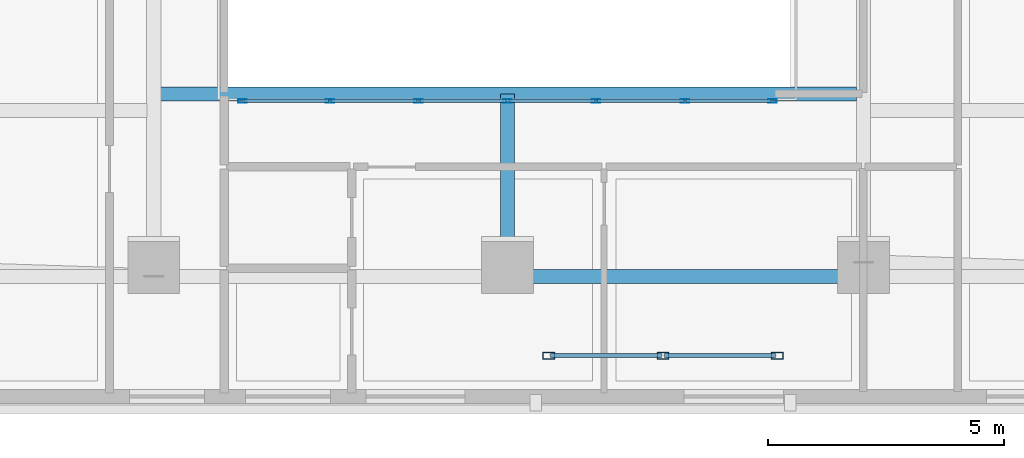
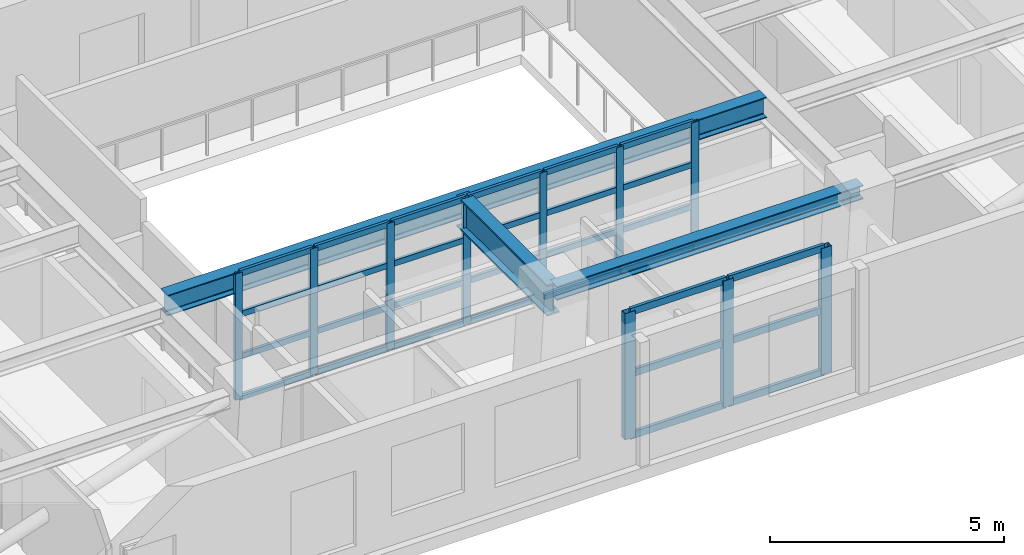
# One storey, part 2 of 13: 40 members, 3 beams, 2 elements without a shape of their own.
"""IFC4 building model written with IfcOpenShell, lengths in metres."""

import ifcopenshell
import ifcopenshell.guid

model = None  # the IFC model being written
_history = None  # IfcOwnerHistory: only IFC2X3 demands one
_inside = {}  # id of a spatial element -> (the spatial element, [elements in it])
_under = {}  # id of a project, library or spatial element -> (it, [spatial elements below it])
_declared = {}  # id of a project -> (the project, [libraries it declares])
_typed = {}  # id of a type object -> (the type object, [elements of that type])
_made_of = {}  # id of a material, layer set ... -> (it, [elements and type objects made of it])


def new_model(schema):
    """Start an empty IFC model of exactly this schema.

    Asked for "IFC4X3", IfcOpenShell would pick the latest addendum, in which some entities
    have other attributes; the version numbers below select the first issue.
    IFC2X3 requires an IfcOwnerHistory on every rooted entity: one is made here for all.
    """
    global model, _history
    if schema == "IFC4X3":
        model = ifcopenshell.file(schema_version=(4, 3, 0, 0))
    else:
        model = ifcopenshell.file(schema=schema)
    _inside.clear()
    _under.clear()
    _declared.clear()
    _typed.clear()
    _made_of.clear()
    _history = None
    if model.schema == "IFC2X3":
        org = make("IfcOrganization", Name="unknown")
        user = make(
            "IfcPersonAndOrganization",
            ThePerson=make("IfcPerson", FamilyName="unknown"),
            TheOrganization=org,
        )
        app = make(
            "IfcApplication",
            ApplicationDeveloper=org,
            Version="unknown",
            ApplicationFullName="unknown",
            ApplicationIdentifier="unknown",
        )
        _history = make(
            "IfcOwnerHistory",
            OwningUser=user,
            OwningApplication=app,
            ChangeAction="ADDED",
            CreationDate=0,
        )
    return model


def make(cls, **values):
    """One entity of the class cls with the attributes given. An attribute that is None is left unset."""
    return model.create_entity(
        cls, **{name: value for name, value in values.items() if value is not None}
    )


def rooted(cls, **values):
    """An entity with a GlobalId (a new one), such as an element, a storey or a relation."""
    return make(cls, GlobalId=ifcopenshell.guid.new(), OwnerHistory=_history, **values)


def si_unit(unit_type, name, prefix=None):
    """IfcSIUnit, for example si_unit("LENGTHUNIT", "METRE", prefix="MILLI")."""
    return make("IfcSIUnit", UnitType=unit_type, Prefix=prefix, Name=name)


def assignment(units):
    """IfcUnitAssignment: the units of a project."""
    return None if units is None else make("IfcUnitAssignment", Units=units)


def point(xyz):
    """IfcCartesianPoint."""
    return None if xyz is None else make("IfcCartesianPoint", Coordinates=xyz)


def direction(xyz):
    """IfcDirection."""
    return None if xyz is None else make("IfcDirection", DirectionRatios=xyz)


def frame(location, z_axis=None, x_axis=None):
    """IfcAxis2Placement3D, a coordinate frame: its origin and axes. An axis left out is left unset."""
    return make(
        "IfcAxis2Placement3D",
        Location=point(location),
        Axis=direction(z_axis),
        RefDirection=direction(x_axis),
    )


def frame_2d(location, x_axis=None):
    """IfcAxis2Placement2D, a coordinate frame in the plane: its origin and x axis."""
    return make(
        "IfcAxis2Placement2D", Location=point(location), RefDirection=direction(x_axis)
    )


def origin():
    """The frame at (0, 0, 0) with its axes left unset."""
    return frame((0.0, 0.0, 0.0))


def origin_2d():
    """The frame at (0, 0) in the plane with its x axis left unset."""
    return frame_2d((0.0, 0.0))


def place(relative_to, where):
    """IfcLocalPlacement: puts the frame where relative to a parent placement (None: the world)."""
    return make(
        "IfcLocalPlacement", PlacementRelTo=relative_to, RelativePlacement=where
    )


def context(
    kind, dimensions, precision=None, world=None, true_north=None, identifier=None
):
    """IfcGeometricRepresentationContext, for example the 3D "Model" context."""
    return make(
        "IfcGeometricRepresentationContext",
        ContextIdentifier=identifier,
        ContextType=kind,
        CoordinateSpaceDimension=dimensions,
        Precision=precision,
        WorldCoordinateSystem=world,
        TrueNorth=true_north,
    )


def subcontext(parent, identifier, kind, view, scale=None):
    """IfcGeometricRepresentationSubContext, for example "Body" below "Model"."""
    return make(
        "IfcGeometricRepresentationSubContext",
        ContextIdentifier=identifier,
        ContextType=kind,
        ParentContext=parent,
        TargetScale=scale,
        TargetView=view,
    )


def project(units=None, contexts=None):
    """IfcProject with its units and contexts."""
    return rooted(
        "IfcProject",
        Name="project",
        RepresentationContexts=contexts,
        UnitsInContext=assignment(units),
    )


def spatial(cls, under=None, at=None, **own):
    """A site, building, storey or space (cls), placed at a placement, below another one or the project."""
    s = rooted(cls, ObjectPlacement=at, **own)
    if under is not None:
        _under.setdefault(under.id(), (under, []))[1].append(s)
    return s


def profile(cls, at=None, kind="AREA", **sizes):
    """A parametric profile (cls). Its sizes go by their IFC names, for example OverallWidth=200.0."""
    return make(cls, ProfileType=kind, Position=at, **sizes)


def hollow_rectangle(**sizes):
    """IfcRectangleHollowProfileDef."""
    return profile("IfcRectangleHollowProfileDef", **sizes)


def i_section(**sizes):
    """IfcIShapeProfileDef."""
    return profile("IfcIShapeProfileDef", **sizes)


def extrude(swept, where, along, depth):
    """IfcExtrudedAreaSolid: the profile swept, set in the frame where, extruded along a direction by depth."""
    return make(
        "IfcExtrudedAreaSolid",
        SweptArea=swept,
        Position=where,
        ExtrudedDirection=direction(along),
        Depth=depth,
    )


def shape(context_of_items, identifier, shape_type, items):
    """IfcShapeRepresentation: the items that make up one representation, for example the "Body"."""
    return make(
        "IfcShapeRepresentation",
        ContextOfItems=context_of_items,
        RepresentationIdentifier=identifier,
        RepresentationType=shape_type,
        Items=items,
    )


def material(Name=None, Category=None):
    """IfcMaterial."""
    return make("IfcMaterial", Name=Name, Category=Category)


def layer(
    of_material, thickness, ventilated=None, Name=None, Category=None, Priority=None
):
    """IfcMaterialLayer: one layer of a wall or slab, of a material (None: an air gap)."""
    return make(
        "IfcMaterialLayer",
        Material=of_material,
        LayerThickness=thickness,
        IsVentilated=ventilated,
        Name=Name,
        Category=Category,
        Priority=Priority,
    )


def layer_set(layers, Name=None):
    """IfcMaterialLayerSet."""
    return make("IfcMaterialLayerSet", MaterialLayers=layers, LayerSetName=Name)


def material_profile(
    of_material, cross_section, Name=None, Category=None, Priority=None
):
    """IfcMaterialProfile: a cross section and its material."""
    return make(
        "IfcMaterialProfile",
        Name=Name,
        Material=of_material,
        Profile=cross_section,
        Priority=Priority,
        Category=Category,
    )


def profile_set(profiles, Name=None, composite=None):
    """IfcMaterialProfileSet."""
    return make(
        "IfcMaterialProfileSet",
        Name=Name,
        MaterialProfiles=profiles,
        CompositeProfile=composite,
    )


def made_of(thing, what):
    """Note that an element or type object is made of a material, layer set ...; save() writes the relation."""
    if what is not None:
        _made_of.setdefault(what.id(), (what, []))[1].append(thing)
    return thing


def type_object(cls, material=None, **own):
    """A type object (cls), such as IfcWallType, which elements share."""
    return made_of(rooted(cls, **own), material)


def element(
    cls,
    number,
    at=None,
    inside=None,
    cuts=None,
    type_object=None,
    material=None,
    context=None,
    identifier="Body",
    shape_type=None,
    held_by="IfcProductDefinitionShape",
    body=None,
    shapes=None,
    **own,
):
    """One element of the class cls, such as IfcWall. Its Tag is "e" and its number.

    at: its placement. inside: the storey or other place that contains it. cuts: it is an
    opening in that element (IfcRelVoidsElement). A single representation is given by context,
    identifier, shape_type and body (its items); several are given by shapes. held_by: the class
    of the entity that holds the representations. save() writes the other relations.
    """
    e = rooted(cls, Tag="e%d" % number, ObjectPlacement=at, **own)
    if body is not None:
        shapes = [shape(context, identifier, shape_type, body)]
    if shapes is not None:
        e.Representation = make(held_by, Representations=shapes)
    if inside is not None:
        _inside.setdefault(inside.id(), (inside, []))[1].append(e)
    if cuts is not None:
        rooted(
            "IfcRelVoidsElement", RelatingBuildingElement=cuts, RelatedOpeningElement=e
        )
    if type_object is not None:
        _typed.setdefault(type_object.id(), (type_object, []))[1].append(e)
    return made_of(e, material)


def aggregate(whole, parts):
    """IfcRelAggregates: a whole, such as a stair, and the parts it consists of."""
    return rooted("IfcRelAggregates", RelatingObject=whole, RelatedObjects=parts)


def save(model, path):
    """Write the relations noted so far, then the file.

    IfcRelAggregates (storeys below a building ...), IfcRelContainedInSpatialStructure (elements
    in a storey), IfcRelDefinesByType, IfcRelAssociatesMaterial and IfcRelDeclares: one each for
    every whole, place, type object, material and project.
    """
    for whole, parts in _under.values():
        aggregate(whole, parts)
    for where, things in _inside.values():
        rooted(
            "IfcRelContainedInSpatialStructure",
            RelatedElements=things,
            RelatingStructure=where,
        )
    for kind, things in _typed.values():
        rooted("IfcRelDefinesByType", RelatedObjects=things, RelatingType=kind)
    for what, things in _made_of.values():
        rooted("IfcRelAssociatesMaterial", RelatedObjects=things, RelatingMaterial=what)
    for by, libraries in _declared.values():
        rooted("IfcRelDeclares", RelatingContext=by, RelatedDefinitions=libraries)
    model.write(path)


model = new_model("IFC4")

# Units and contexts
model_context = context("Model", 3, precision=1e-05, world=origin(), true_north=direction((0.0, 1.0)))
body_context = subcontext(model_context, "Body", "Model", "MODEL_VIEW")
ifc_project = project(units=[si_unit("LENGTHUNIT", "METRE"), si_unit("AREAUNIT", "SQUARE_METRE"), si_unit("VOLUMEUNIT", "CUBIC_METRE"), si_unit("PLANEANGLEUNIT", "RADIAN"), si_unit("MASSUNIT", "GRAM", prefix="KILO")], contexts=[model_context])

# Site, building, storey
site_placement = place(None, origin())
site = spatial("IfcSite", under=ifc_project, at=site_placement, CompositionType="ELEMENT")
building_placement = place(site_placement, origin())
building = spatial("IfcBuilding", under=site, at=building_placement, Name="Zarnavel Station Tower", CompositionType="ELEMENT")
storey_placement = place(building_placement, frame((0.0, 0.0, 141.25)))
storey = spatial("IfcBuildingStorey", under=building, at=storey_placement, Name="L38", CompositionType="ELEMENT", Elevation=141.25)

# Curtain wall, members
ifc_material_1 = material(Name="Aluminium Dark Anodised and Solar-Control Glass", Category="aluminium")
ifc_layer_1 = layer(ifc_material_1, 0.179931640625)
ifc_layer_set_1 = layer_set([ifc_layer_1], Name="CWS4")
curtain_wall_type_1 = type_object("IfcCurtainWallType", Name="CWS4", PredefinedType="NOTDEFINED", material=ifc_layer_set_1)
curtain_wall_1_placement = place(storey_placement, origin())
curtain_wall_1 = element("IfcCurtainWall", 1, at=curtain_wall_1_placement, inside=storey, type_object=curtain_wall_type_1, Name="L38 Curtain Wall CWS4-L38-AS", PredefinedType="NOTDEFINED")
ifc_material_2 = material(Name="Steel S355J2 (Black Fluoropolymer Coated)", Category="steel")
ifc_material_profile_1 = material_profile(ifc_material_2, hollow_rectangle(XDim=0.080078125, YDim=0.179931640625, WallThickness=0.00634765625, at=origin_2d()), Name="RHS180x80x6.3")
ifc_profile_set_1 = profile_set([ifc_material_profile_1], Name="Steel S355J2 (Black Fluoropolymer Coated)")
member_type_1 = type_object("IfcMemberType", Name="CWS4_MUL", PredefinedType="MULLION", material=ifc_profile_set_1)
member_1_placement = place(storey_placement, frame((23.179931640625, 16.85009765625, 0.0), z_axis=(0.0, 0.0, 1.0), x_axis=(0.0, 1.0, 0.0)))
member_1 = element("IfcMember", 2, at=member_1_placement, type_object=member_type_1, Name="CW4 mullion 1", PredefinedType="MULLION", context=body_context, shape_type="SweptSolid", body=[
    extrude(hollow_rectangle(XDim=0.080078125, YDim=0.179931640625, WallThickness=0.00634765625, at=origin_2d()), origin(), (0.0, 0.0, 1.0), 3.2900390625),
])
member_2_placement = place(storey_placement, frame((25.033447265625, 16.85009765625, 0.0), z_axis=(0.0, 0.0, 1.0), x_axis=(0.0, 1.0, 0.0)))
member_2 = element("IfcMember", 3, at=member_2_placement, type_object=member_type_1, Name="CW4 mullion 2", PredefinedType="MULLION", context=body_context, shape_type="SweptSolid", body=[
    extrude(hollow_rectangle(XDim=0.080078125, YDim=0.179931640625, WallThickness=0.00634765625, at=origin_2d()), origin(), (0.0, 0.0, 1.0), 3.2900390625),
])
member_3_placement = place(storey_placement, frame((26.916748046875, 16.85009765625, 0.0), z_axis=(0.0, 0.0, 1.0), x_axis=(0.0, 1.0, 0.0)))
member_3 = element("IfcMember", 4, at=member_3_placement, type_object=member_type_1, Name="CW4 mullion 3", PredefinedType="MULLION", context=body_context, shape_type="SweptSolid", body=[
    extrude(hollow_rectangle(XDim=0.080078125, YDim=0.179931640625, WallThickness=0.00634765625, at=origin_2d()), origin(), (0.0, 0.0, 1.0), 3.2900390625),
])
member_4_placement = place(storey_placement, frame((28.800048828125, 16.85009765625, 0.0), z_axis=(0.0, 0.0, 1.0), x_axis=(0.0, 1.0, 0.0)))
member_4 = element("IfcMember", 5, at=member_4_placement, type_object=member_type_1, Name="CW4 mullion 4", PredefinedType="MULLION", context=body_context, shape_type="SweptSolid", body=[
    extrude(hollow_rectangle(XDim=0.080078125, YDim=0.179931640625, WallThickness=0.00634765625, at=origin_2d()), origin(), (0.0, 0.0, 1.0), 3.2900390625),
])
member_5_placement = place(storey_placement, frame((30.683349609375, 16.85009765625, 0.0), z_axis=(0.0, 0.0, 1.0), x_axis=(0.0, 1.0, 0.0)))
member_5 = element("IfcMember", 6, at=member_5_placement, type_object=member_type_1, Name="CW4 mullion 5", PredefinedType="MULLION", context=body_context, shape_type="SweptSolid", body=[
    extrude(hollow_rectangle(XDim=0.080078125, YDim=0.179931640625, WallThickness=0.00634765625, at=origin_2d()), origin(), (0.0, 0.0, 1.0), 3.2900390625),
])
member_6_placement = place(storey_placement, frame((32.566650390625, 16.85009765625, 0.0), z_axis=(0.0, 0.0, 1.0), x_axis=(0.0, 1.0, 0.0)))
member_6 = element("IfcMember", 7, at=member_6_placement, type_object=member_type_1, Name="CW4 mullion 6", PredefinedType="MULLION", context=body_context, shape_type="SweptSolid", body=[
    extrude(hollow_rectangle(XDim=0.080078125, YDim=0.179931640625, WallThickness=0.00634765625, at=origin_2d()), origin(), (0.0, 0.0, 1.0), 3.2900390625),
])
member_7_placement = place(storey_placement, frame((34.419921875, 16.85009765625, 0.0), z_axis=(0.0, 0.0, 1.0), x_axis=(0.0, 1.0, 0.0)))
member_7 = element("IfcMember", 8, at=member_7_placement, type_object=member_type_1, Name="CW4 mullion 7", PredefinedType="MULLION", context=body_context, shape_type="SweptSolid", body=[
    extrude(hollow_rectangle(XDim=0.080078125, YDim=0.179931640625, WallThickness=0.00634765625, at=origin_2d()), origin(), (0.0, 0.0, 1.0), 3.2900390625),
])
ifc_material_3 = material(Name="Steel S355J2 (Black Fluoropolymer Coated)", Category="steel")
ifc_material_profile_2 = material_profile(ifc_material_3, hollow_rectangle(XDim=0.074951171875, YDim=0.14990234375, WallThickness=0.00634765625, at=origin_2d()), Name="RHS150x75x6.3")
ifc_profile_set_2 = profile_set([ifc_material_profile_2], Name="Steel S355J2 (Black Fluoropolymer Coated)")
member_type_2 = type_object("IfcMemberType", Name="CWS4_TRN", PredefinedType="USERDEFINED", material=ifc_profile_set_2)
member_8_placement = place(storey_placement, frame((23.2099609375, 16.85009765625, 0.030029296875), z_axis=(1.0, 0.0, 0.0), x_axis=(0.0, 1.0, 0.0)))
member_8 = element("IfcMember", 9, at=member_8_placement, type_object=member_type_2, Name="CW4 transom 1.1", ObjectType="TRANSOM", PredefinedType="USERDEFINED", context=body_context, shape_type="SweptSolid", body=[
    extrude(hollow_rectangle(XDim=0.074951171875, YDim=0.14990234375, WallThickness=0.00634765625, at=origin_2d()), origin(), (0.0, 0.0, 1.0), 1.79345703125),
])
member_9_placement = place(storey_placement, frame((23.2099609375, 16.85009765625, 1.0966796875), z_axis=(1.0, 0.0, 0.0), x_axis=(0.0, 1.0, 0.0)))
member_9 = element("IfcMember", 10, at=member_9_placement, type_object=member_type_2, Name="CW4 transom 1.2", ObjectType="TRANSOM", PredefinedType="USERDEFINED", context=body_context, shape_type="SweptSolid", body=[
    extrude(hollow_rectangle(XDim=0.074951171875, YDim=0.14990234375, WallThickness=0.00634765625, at=origin_2d()), origin(), (0.0, 0.0, 1.0), 1.79345703125),
])
member_10_placement = place(storey_placement, frame((23.2099609375, 16.85009765625, 2.193359375), z_axis=(1.0, 0.0, 0.0), x_axis=(0.0, 1.0, 0.0)))
member_10 = element("IfcMember", 11, at=member_10_placement, type_object=member_type_2, Name="CW4 transom 1.3", ObjectType="TRANSOM", PredefinedType="USERDEFINED", context=body_context, shape_type="SweptSolid", body=[
    extrude(hollow_rectangle(XDim=0.074951171875, YDim=0.14990234375, WallThickness=0.00634765625, at=origin_2d()), origin(), (0.0, 0.0, 1.0), 1.79345703125),
])
member_11_placement = place(storey_placement, frame((23.2099609375, 16.85009765625, 3.260009765625), z_axis=(1.0, 0.0, 0.0), x_axis=(0.0, 1.0, 0.0)))
member_11 = element("IfcMember", 12, at=member_11_placement, type_object=member_type_2, Name="CW4 transom 1.4", ObjectType="TRANSOM", PredefinedType="USERDEFINED", context=body_context, shape_type="SweptSolid", body=[
    extrude(hollow_rectangle(XDim=0.074951171875, YDim=0.14990234375, WallThickness=0.00634765625, at=origin_2d()), origin(), (0.0, 0.0, 1.0), 1.79345703125),
])
member_12_placement = place(storey_placement, frame((25.063232421875, 16.85009765625, 0.030029296875), z_axis=(1.0, 0.0, 0.0), x_axis=(0.0, 1.0, 0.0)))
member_12 = element("IfcMember", 13, at=member_12_placement, type_object=member_type_2, Name="CW4 transom 2.1", ObjectType="TRANSOM", PredefinedType="USERDEFINED", context=body_context, shape_type="SweptSolid", body=[
    extrude(hollow_rectangle(XDim=0.074951171875, YDim=0.14990234375, WallThickness=0.00634765625, at=origin_2d()), origin(), (0.0, 0.0, 1.0), 1.823486328125),
])
member_13_placement = place(storey_placement, frame((25.063232421875, 16.85009765625, 1.0966796875), z_axis=(1.0, 0.0, 0.0), x_axis=(0.0, 1.0, 0.0)))
member_13 = element("IfcMember", 14, at=member_13_placement, type_object=member_type_2, Name="CW4 transom 2.2", ObjectType="TRANSOM", PredefinedType="USERDEFINED", context=body_context, shape_type="SweptSolid", body=[
    extrude(hollow_rectangle(XDim=0.074951171875, YDim=0.14990234375, WallThickness=0.00634765625, at=origin_2d()), origin(), (0.0, 0.0, 1.0), 1.823486328125),
])
member_14_placement = place(storey_placement, frame((25.063232421875, 16.85009765625, 2.193359375), z_axis=(1.0, 0.0, 0.0), x_axis=(0.0, 1.0, 0.0)))
member_14 = element("IfcMember", 15, at=member_14_placement, type_object=member_type_2, Name="CW4 transom 2.3", ObjectType="TRANSOM", PredefinedType="USERDEFINED", context=body_context, shape_type="SweptSolid", body=[
    extrude(hollow_rectangle(XDim=0.074951171875, YDim=0.14990234375, WallThickness=0.00634765625, at=origin_2d()), origin(), (0.0, 0.0, 1.0), 1.823486328125),
])
member_15_placement = place(storey_placement, frame((25.063232421875, 16.85009765625, 3.260009765625), z_axis=(1.0, 0.0, 0.0), x_axis=(0.0, 1.0, 0.0)))
member_15 = element("IfcMember", 16, at=member_15_placement, type_object=member_type_2, Name="CW4 transom 2.4", ObjectType="TRANSOM", PredefinedType="USERDEFINED", context=body_context, shape_type="SweptSolid", body=[
    extrude(hollow_rectangle(XDim=0.074951171875, YDim=0.14990234375, WallThickness=0.00634765625, at=origin_2d()), origin(), (0.0, 0.0, 1.0), 1.823486328125),
])
member_16_placement = place(storey_placement, frame((26.94677734375, 16.85009765625, 0.030029296875), z_axis=(1.0, 0.0, 0.0), x_axis=(0.0, 1.0, 0.0)))
member_16 = element("IfcMember", 17, at=member_16_placement, type_object=member_type_2, Name="CW4 transom 3.1", ObjectType="TRANSOM", PredefinedType="USERDEFINED", context=body_context, shape_type="SweptSolid", body=[
    extrude(hollow_rectangle(XDim=0.074951171875, YDim=0.14990234375, WallThickness=0.00634765625, at=origin_2d()), origin(), (0.0, 0.0, 1.0), 1.8232421875),
])
member_17_placement = place(storey_placement, frame((26.94677734375, 16.85009765625, 1.0966796875), z_axis=(1.0, 0.0, 0.0), x_axis=(0.0, 1.0, 0.0)))
member_17 = element("IfcMember", 18, at=member_17_placement, type_object=member_type_2, Name="CW4 transom 3.2", ObjectType="TRANSOM", PredefinedType="USERDEFINED", context=body_context, shape_type="SweptSolid", body=[
    extrude(hollow_rectangle(XDim=0.074951171875, YDim=0.14990234375, WallThickness=0.00634765625, at=origin_2d()), origin(), (0.0, 0.0, 1.0), 1.8232421875),
])
member_18_placement = place(storey_placement, frame((26.94677734375, 16.85009765625, 2.193359375), z_axis=(1.0, 0.0, 0.0), x_axis=(0.0, 1.0, 0.0)))
member_18 = element("IfcMember", 19, at=member_18_placement, type_object=member_type_2, Name="CW4 transom 3.3", ObjectType="TRANSOM", PredefinedType="USERDEFINED", context=body_context, shape_type="SweptSolid", body=[
    extrude(hollow_rectangle(XDim=0.074951171875, YDim=0.14990234375, WallThickness=0.00634765625, at=origin_2d()), origin(), (0.0, 0.0, 1.0), 1.8232421875),
])
member_19_placement = place(storey_placement, frame((26.94677734375, 16.85009765625, 3.260009765625), z_axis=(1.0, 0.0, 0.0), x_axis=(0.0, 1.0, 0.0)))
member_19 = element("IfcMember", 20, at=member_19_placement, type_object=member_type_2, Name="CW4 transom 3.4", ObjectType="TRANSOM", PredefinedType="USERDEFINED", context=body_context, shape_type="SweptSolid", body=[
    extrude(hollow_rectangle(XDim=0.074951171875, YDim=0.14990234375, WallThickness=0.00634765625, at=origin_2d()), origin(), (0.0, 0.0, 1.0), 1.8232421875),
])
member_20_placement = place(storey_placement, frame((28.830078125, 16.85009765625, 0.030029296875), z_axis=(1.0, 0.0, 0.0), x_axis=(0.0, 1.0, 0.0)))
member_20 = element("IfcMember", 21, at=member_20_placement, type_object=member_type_2, Name="CW4 transom 4.1", ObjectType="TRANSOM", PredefinedType="USERDEFINED", context=body_context, shape_type="SweptSolid", body=[
    extrude(hollow_rectangle(XDim=0.074951171875, YDim=0.14990234375, WallThickness=0.00634765625, at=origin_2d()), origin(), (0.0, 0.0, 1.0), 1.8232421875),
])
member_21_placement = place(storey_placement, frame((28.830078125, 16.85009765625, 1.0966796875), z_axis=(1.0, 0.0, 0.0), x_axis=(0.0, 1.0, 0.0)))
member_21 = element("IfcMember", 22, at=member_21_placement, type_object=member_type_2, Name="CW4 transom 4.2", ObjectType="TRANSOM", PredefinedType="USERDEFINED", context=body_context, shape_type="SweptSolid", body=[
    extrude(hollow_rectangle(XDim=0.074951171875, YDim=0.14990234375, WallThickness=0.00634765625, at=origin_2d()), origin(), (0.0, 0.0, 1.0), 1.8232421875),
])
member_22_placement = place(storey_placement, frame((28.830078125, 16.85009765625, 2.193359375), z_axis=(1.0, 0.0, 0.0), x_axis=(0.0, 1.0, 0.0)))
member_22 = element("IfcMember", 23, at=member_22_placement, type_object=member_type_2, Name="CW4 transom 4.3", ObjectType="TRANSOM", PredefinedType="USERDEFINED", context=body_context, shape_type="SweptSolid", body=[
    extrude(hollow_rectangle(XDim=0.074951171875, YDim=0.14990234375, WallThickness=0.00634765625, at=origin_2d()), origin(), (0.0, 0.0, 1.0), 1.8232421875),
])
member_23_placement = place(storey_placement, frame((28.830078125, 16.85009765625, 3.260009765625), z_axis=(1.0, 0.0, 0.0), x_axis=(0.0, 1.0, 0.0)))
member_23 = element("IfcMember", 24, at=member_23_placement, type_object=member_type_2, Name="CW4 transom 4.4", ObjectType="TRANSOM", PredefinedType="USERDEFINED", context=body_context, shape_type="SweptSolid", body=[
    extrude(hollow_rectangle(XDim=0.074951171875, YDim=0.14990234375, WallThickness=0.00634765625, at=origin_2d()), origin(), (0.0, 0.0, 1.0), 1.8232421875),
])
member_24_placement = place(storey_placement, frame((30.71337890625, 16.85009765625, 0.030029296875), z_axis=(1.0, 0.0, 0.0), x_axis=(0.0, 1.0, 0.0)))
member_24 = element("IfcMember", 25, at=member_24_placement, type_object=member_type_2, Name="CW4 transom 5.1", ObjectType="TRANSOM", PredefinedType="USERDEFINED", context=body_context, shape_type="SweptSolid", body=[
    extrude(hollow_rectangle(XDim=0.074951171875, YDim=0.14990234375, WallThickness=0.00634765625, at=origin_2d()), origin(), (0.0, 0.0, 1.0), 1.8232421875),
])
member_25_placement = place(storey_placement, frame((30.71337890625, 16.85009765625, 1.0966796875), z_axis=(1.0, 0.0, 0.0), x_axis=(0.0, 1.0, 0.0)))
member_25 = element("IfcMember", 26, at=member_25_placement, type_object=member_type_2, Name="CW4 transom 5.2", ObjectType="TRANSOM", PredefinedType="USERDEFINED", context=body_context, shape_type="SweptSolid", body=[
    extrude(hollow_rectangle(XDim=0.074951171875, YDim=0.14990234375, WallThickness=0.00634765625, at=origin_2d()), origin(), (0.0, 0.0, 1.0), 1.8232421875),
])
member_26_placement = place(storey_placement, frame((30.71337890625, 16.85009765625, 2.193359375), z_axis=(1.0, 0.0, 0.0), x_axis=(0.0, 1.0, 0.0)))
member_26 = element("IfcMember", 27, at=member_26_placement, type_object=member_type_2, Name="CW4 transom 5.3", ObjectType="TRANSOM", PredefinedType="USERDEFINED", context=body_context, shape_type="SweptSolid", body=[
    extrude(hollow_rectangle(XDim=0.074951171875, YDim=0.14990234375, WallThickness=0.00634765625, at=origin_2d()), origin(), (0.0, 0.0, 1.0), 1.8232421875),
])
member_27_placement = place(storey_placement, frame((30.71337890625, 16.85009765625, 3.260009765625), z_axis=(1.0, 0.0, 0.0), x_axis=(0.0, 1.0, 0.0)))
member_27 = element("IfcMember", 28, at=member_27_placement, type_object=member_type_2, Name="CW4 transom 5.4", ObjectType="TRANSOM", PredefinedType="USERDEFINED", context=body_context, shape_type="SweptSolid", body=[
    extrude(hollow_rectangle(XDim=0.074951171875, YDim=0.14990234375, WallThickness=0.00634765625, at=origin_2d()), origin(), (0.0, 0.0, 1.0), 1.8232421875),
])
member_28_placement = place(storey_placement, frame((32.5966796875, 16.85009765625, 0.030029296875), z_axis=(1.0, 0.0, 0.0), x_axis=(0.0, 1.0, 0.0)))
member_28 = element("IfcMember", 29, at=member_28_placement, type_object=member_type_2, Name="CW4 transom 6.1", ObjectType="TRANSOM", PredefinedType="USERDEFINED", context=body_context, shape_type="SweptSolid", body=[
    extrude(hollow_rectangle(XDim=0.074951171875, YDim=0.14990234375, WallThickness=0.00634765625, at=origin_2d()), origin(), (0.0, 0.0, 1.0), 1.793212890625),
])
member_29_placement = place(storey_placement, frame((32.5966796875, 16.85009765625, 1.0966796875), z_axis=(1.0, 0.0, 0.0), x_axis=(0.0, 1.0, 0.0)))
member_29 = element("IfcMember", 30, at=member_29_placement, type_object=member_type_2, Name="CW4 transom 6.2", ObjectType="TRANSOM", PredefinedType="USERDEFINED", context=body_context, shape_type="SweptSolid", body=[
    extrude(hollow_rectangle(XDim=0.074951171875, YDim=0.14990234375, WallThickness=0.00634765625, at=origin_2d()), origin(), (0.0, 0.0, 1.0), 1.793212890625),
])
member_30_placement = place(storey_placement, frame((32.5966796875, 16.85009765625, 2.193359375), z_axis=(1.0, 0.0, 0.0), x_axis=(0.0, 1.0, 0.0)))
member_30 = element("IfcMember", 31, at=member_30_placement, type_object=member_type_2, Name="CW4 transom 6.3", ObjectType="TRANSOM", PredefinedType="USERDEFINED", context=body_context, shape_type="SweptSolid", body=[
    extrude(hollow_rectangle(XDim=0.074951171875, YDim=0.14990234375, WallThickness=0.00634765625, at=origin_2d()), origin(), (0.0, 0.0, 1.0), 1.793212890625),
])
member_31_placement = place(storey_placement, frame((32.5966796875, 16.85009765625, 3.260009765625), z_axis=(1.0, 0.0, 0.0), x_axis=(0.0, 1.0, 0.0)))
member_31 = element("IfcMember", 32, at=member_31_placement, type_object=member_type_2, Name="CW4 transom 6.4", ObjectType="TRANSOM", PredefinedType="USERDEFINED", context=body_context, shape_type="SweptSolid", body=[
    extrude(hollow_rectangle(XDim=0.074951171875, YDim=0.14990234375, WallThickness=0.00634765625, at=origin_2d()), origin(), (0.0, 0.0, 1.0), 1.793212890625),
])
aggregate(curtain_wall_1, [member_1, member_2, member_3, member_4, member_5, member_6, member_7, member_8, member_9, member_10, member_11, member_12, member_13, member_14, member_15, member_16, member_17, member_18, member_19, member_20, member_21, member_22, member_23, member_24, member_25, member_26, member_27, member_28, member_29, member_30, member_31])

ifc_material_4 = material(Name="Aluminium Dark Anodised and Solar-Control Glass", Category="aluminium")
ifc_layer_2 = layer(ifc_material_4, 0.179931640625)
ifc_layer_set_2 = layer_set([ifc_layer_2], Name="CWS6")
curtain_wall_type_2 = type_object("IfcCurtainWallType", Name="CWS6", PredefinedType="NOTDEFINED", material=ifc_layer_set_2)
curtain_wall_2_placement = place(storey_placement, origin())
curtain_wall_2 = element("IfcCurtainWall", 33, at=curtain_wall_2_placement, inside=storey, type_object=curtain_wall_type_2, Name="L38 Curtain Wall CWS6-LOG-L38", PredefinedType="NOTDEFINED")
ifc_material_5 = material(Name="Steel S355J2 (Black Fluoropolymer Coated)", Category="steel")
ifc_material_profile_3 = material_profile(ifc_material_5, hollow_rectangle(XDim=0.14990234375, YDim=0.25, WallThickness=0.010009765625, at=origin_2d()), Name="RHS250x150x10")
ifc_profile_set_3 = profile_set([ifc_material_profile_3], Name="Steel S355J2 (Black Fluoropolymer Coated)")
member_type_3 = type_object("IfcMemberType", Name="CWS6_MUL", PredefinedType="MULLION", material=ifc_profile_set_3)
member_32_placement = place(storey_placement, frame((29.679931640625, 11.449951171875, 0.0), z_axis=(0.0, 0.0, 1.0), x_axis=(0.0, 1.0, 0.0)))
member_32 = element("IfcMember", 34, at=member_32_placement, type_object=member_type_3, Name="CW6 mullion 1", PredefinedType="MULLION", context=body_context, shape_type="SweptSolid", body=[
    extrude(hollow_rectangle(XDim=0.14990234375, YDim=0.25, WallThickness=0.010009765625, at=origin_2d()), origin(), (0.0, 0.0, 1.0), 3.2900390625),
])
member_33_placement = place(storey_placement, frame((32.10009765625, 11.449951171875, 0.0), z_axis=(0.0, 0.0, 1.0), x_axis=(0.0, 1.0, 0.0)))
member_33 = element("IfcMember", 35, at=member_33_placement, type_object=member_type_3, Name="CW6 mullion 2", PredefinedType="MULLION", context=body_context, shape_type="SweptSolid", body=[
    extrude(hollow_rectangle(XDim=0.14990234375, YDim=0.25, WallThickness=0.010009765625, at=origin_2d()), origin(), (0.0, 0.0, 1.0), 3.2900390625),
])
member_34_placement = place(storey_placement, frame((34.52001953125, 11.449951171875, 0.0), z_axis=(0.0, 0.0, 1.0), x_axis=(0.0, 1.0, 0.0)))
member_34 = element("IfcMember", 36, at=member_34_placement, type_object=member_type_3, Name="CW6 mullion 3", PredefinedType="MULLION", context=body_context, shape_type="SweptSolid", body=[
    extrude(hollow_rectangle(XDim=0.14990234375, YDim=0.25, WallThickness=0.010009765625, at=origin_2d()), origin(), (0.0, 0.0, 1.0), 3.2900390625),
])
ifc_material_6 = material(Name="Steel S355J2 (Black Fluoropolymer Coated)", Category="steel")
ifc_material_profile_4 = material_profile(ifc_material_6, hollow_rectangle(XDim=0.080078125, YDim=0.179931640625, WallThickness=0.00634765625, at=origin_2d()), Name="RHS180x80x6.3")
ifc_profile_set_4 = profile_set([ifc_material_profile_4], Name="Steel S355J2 (Black Fluoropolymer Coated)")
member_type_4 = type_object("IfcMemberType", Name="CWS6_TRN", PredefinedType="USERDEFINED", material=ifc_profile_set_4)
member_35_placement = place(storey_placement, frame((29.7099609375, 11.449951171875, 0.030029296875), z_axis=(1.0, 0.0, 0.0), x_axis=(0.0, 1.0, 0.0)))
member_35 = element("IfcMember", 37, at=member_35_placement, type_object=member_type_4, Name="CW6 transom 1.1", ObjectType="TRANSOM", PredefinedType="USERDEFINED", context=body_context, shape_type="SweptSolid", body=[
    extrude(hollow_rectangle(XDim=0.080078125, YDim=0.179931640625, WallThickness=0.00634765625, at=origin_2d()), origin(), (0.0, 0.0, 1.0), 2.360107421875),
])
member_36_placement = place(storey_placement, frame((29.7099609375, 11.449951171875, 1.64501953125), z_axis=(1.0, 0.0, 0.0), x_axis=(0.0, 1.0, 0.0)))
member_36 = element("IfcMember", 38, at=member_36_placement, type_object=member_type_4, Name="CW6 transom 1.2", ObjectType="TRANSOM", PredefinedType="USERDEFINED", context=body_context, shape_type="SweptSolid", body=[
    extrude(hollow_rectangle(XDim=0.080078125, YDim=0.179931640625, WallThickness=0.00634765625, at=origin_2d()), origin(), (0.0, 0.0, 1.0), 2.360107421875),
])
member_37_placement = place(storey_placement, frame((29.7099609375, 11.449951171875, 3.260009765625), z_axis=(1.0, 0.0, 0.0), x_axis=(0.0, 1.0, 0.0)))
member_37 = element("IfcMember", 39, at=member_37_placement, type_object=member_type_4, Name="CW6 transom 1.3", ObjectType="TRANSOM", PredefinedType="USERDEFINED", context=body_context, shape_type="SweptSolid", body=[
    extrude(hollow_rectangle(XDim=0.080078125, YDim=0.179931640625, WallThickness=0.00634765625, at=origin_2d()), origin(), (0.0, 0.0, 1.0), 2.360107421875),
])
member_38_placement = place(storey_placement, frame((32.1298828125, 11.449951171875, 0.030029296875), z_axis=(1.0, 0.0, 0.0), x_axis=(0.0, 1.0, 0.0)))
member_38 = element("IfcMember", 40, at=member_38_placement, type_object=member_type_4, Name="CW6 transom 2.1", ObjectType="TRANSOM", PredefinedType="USERDEFINED", context=body_context, shape_type="SweptSolid", body=[
    extrude(hollow_rectangle(XDim=0.080078125, YDim=0.179931640625, WallThickness=0.00634765625, at=origin_2d()), origin(), (0.0, 0.0, 1.0), 2.360107421875),
])
member_39_placement = place(storey_placement, frame((32.1298828125, 11.449951171875, 1.64501953125), z_axis=(1.0, 0.0, 0.0), x_axis=(0.0, 1.0, 0.0)))
member_39 = element("IfcMember", 41, at=member_39_placement, type_object=member_type_4, Name="CW6 transom 2.2", ObjectType="TRANSOM", PredefinedType="USERDEFINED", context=body_context, shape_type="SweptSolid", body=[
    extrude(hollow_rectangle(XDim=0.080078125, YDim=0.179931640625, WallThickness=0.00634765625, at=origin_2d()), origin(), (0.0, 0.0, 1.0), 2.360107421875),
])
member_40_placement = place(storey_placement, frame((32.1298828125, 11.449951171875, 3.260009765625), z_axis=(1.0, 0.0, 0.0), x_axis=(0.0, 1.0, 0.0)))
member_40 = element("IfcMember", 42, at=member_40_placement, type_object=member_type_4, Name="CW6 transom 2.3", ObjectType="TRANSOM", PredefinedType="USERDEFINED", context=body_context, shape_type="SweptSolid", body=[
    extrude(hollow_rectangle(XDim=0.080078125, YDim=0.179931640625, WallThickness=0.00634765625, at=origin_2d()), origin(), (0.0, 0.0, 1.0), 2.360107421875),
])
aggregate(curtain_wall_2, [member_32, member_33, member_34, member_35, member_36, member_37, member_38, member_39, member_40])

# Beams
ifc_material_7 = material(Name="Steel S355J2", Category="steel")
ifc_material_profile_5 = material_profile(ifc_material_7, i_section(OverallWidth=0.300048828125, OverallDepth=0.360107421875, WebThickness=0.012451171875, FlangeThickness=0.0224609375, FilletRadius=0.027099609375, at=origin_2d()), Name="HEB360")
ifc_profile_set_5 = profile_set([ifc_material_profile_5], Name="Steel S355J2")
beam_type_1 = type_object("IfcBeamType", Name="EB_HEB360", PredefinedType="SPANDREL", material=ifc_profile_set_5)
beam_1_placement = place(storey_placement, frame((28.800048828125, 13.1298828125, 3.110107421875), z_axis=(1.0, 0.0, 0.0), x_axis=(0.0, 1.0, 0.0)))
element("IfcBeam", 43, at=beam_1_placement, inside=storey, type_object=beam_type_1, Name="L38 South Raked Spandrel 3", PredefinedType="SPANDREL", context=body_context, shape_type="SweptSolid", body=[
    extrude(i_section(OverallWidth=0.300048828125, OverallDepth=0.360107421875, WebThickness=0.012451171875, FlangeThickness=0.0224609375, FilletRadius=0.027099609375, at=origin_2d()), origin(), (0.0, 0.0, 1.0), 7.550048828125),
])
ifc_material_8 = material(Name="Steel S355J2", Category="steel")
ifc_material_profile_6 = material_profile(ifc_material_8, i_section(OverallWidth=0.300048828125, OverallDepth=0.5400390625, WebThickness=0.012451171875, FlangeThickness=0.02392578125, FilletRadius=0.027099609375, at=origin_2d()), Name="HEA550")
ifc_profile_set_6 = profile_set([ifc_material_profile_6], Name="Steel S355J2")
beam_type_2 = type_object("IfcBeamType", Name="FB_HEA550", PredefinedType="BEAM", material=ifc_profile_set_6)
beam_2_placement = place(storey_placement, frame((21.445068359375, 17.0, 3.02001953125), z_axis=(1.0, 0.0, 0.0), x_axis=(0.0, 1.0, 0.0)))
element("IfcBeam", 44, at=beam_2_placement, inside=storey, type_object=beam_type_2, Name="L38 Atrium South Edge Girder", PredefinedType="BEAM", context=body_context, shape_type="SweptSolid", body=[
    extrude(i_section(OverallWidth=0.300048828125, OverallDepth=0.5400390625, WebThickness=0.012451171875, FlangeThickness=0.02392578125, FilletRadius=0.027099609375, at=origin_2d()), origin(), (0.0, 0.0, 1.0), 14.760009765625),
])
ifc_material_9 = material(Name="Steel S460M", Category="steel")
ifc_material_profile_7 = material_profile(ifc_material_9, i_section(OverallWidth=0.302978515625, OverallDepth=0.81396484375, WebThickness=0.02099609375, FlangeThickness=0.0400390625, FilletRadius=0.030029296875, at=origin_2d()), Name="HEM800")
ifc_profile_set_7 = profile_set([ifc_material_profile_7], Name="Steel S460M")
beam_type_3 = type_object("IfcBeamType", Name="FG_HEM800", PredefinedType="USERDEFINED", material=ifc_profile_set_7)
beam_3_placement = place(storey_placement, frame((28.800048828125, 13.1298828125, 2.883056640625), z_axis=(0.0, 1.0, 0.0), x_axis=(-1.0, 0.0, 0.0)))
element("IfcBeam", 45, at=beam_3_placement, inside=storey, type_object=beam_type_3, Name="L38 Central Atrium-South Girder", ObjectType="GIRDER", PredefinedType="USERDEFINED", context=body_context, shape_type="SweptSolid", body=[
    extrude(i_section(OverallWidth=0.302978515625, OverallDepth=0.81396484375, WebThickness=0.02099609375, FlangeThickness=0.0400390625, FilletRadius=0.030029296875, at=origin_2d()), origin(), (0.0, 0.0, 1.0), 3.8701171875),
])

save(model, "model.ifc")
